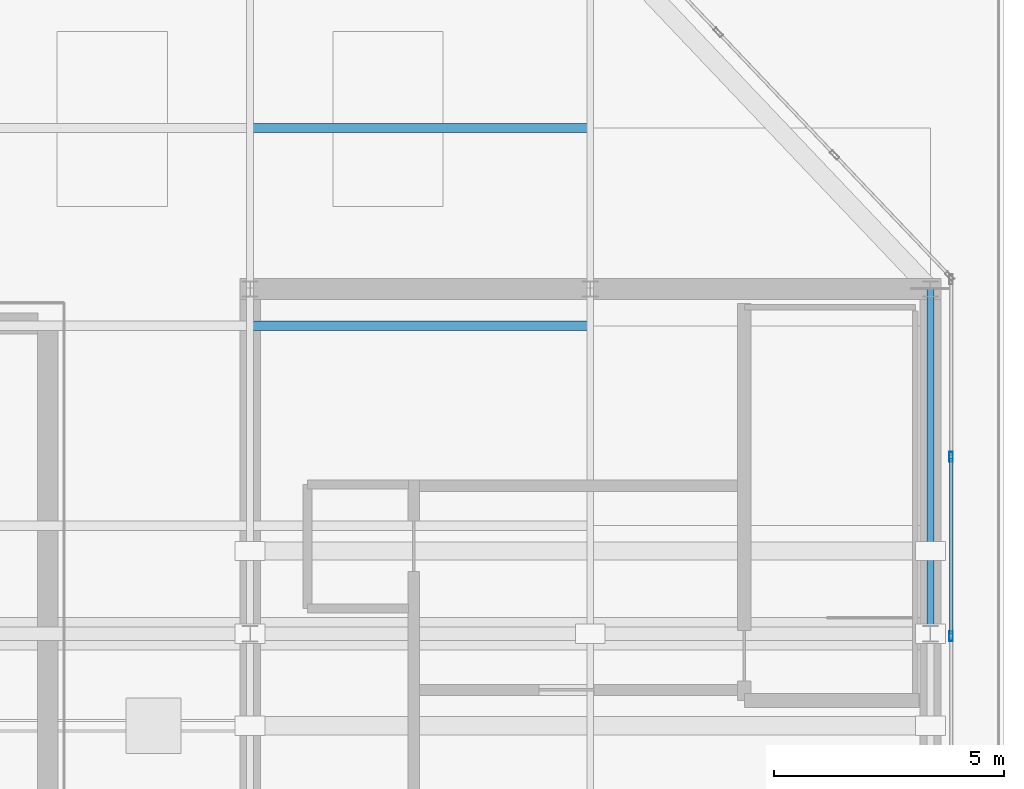
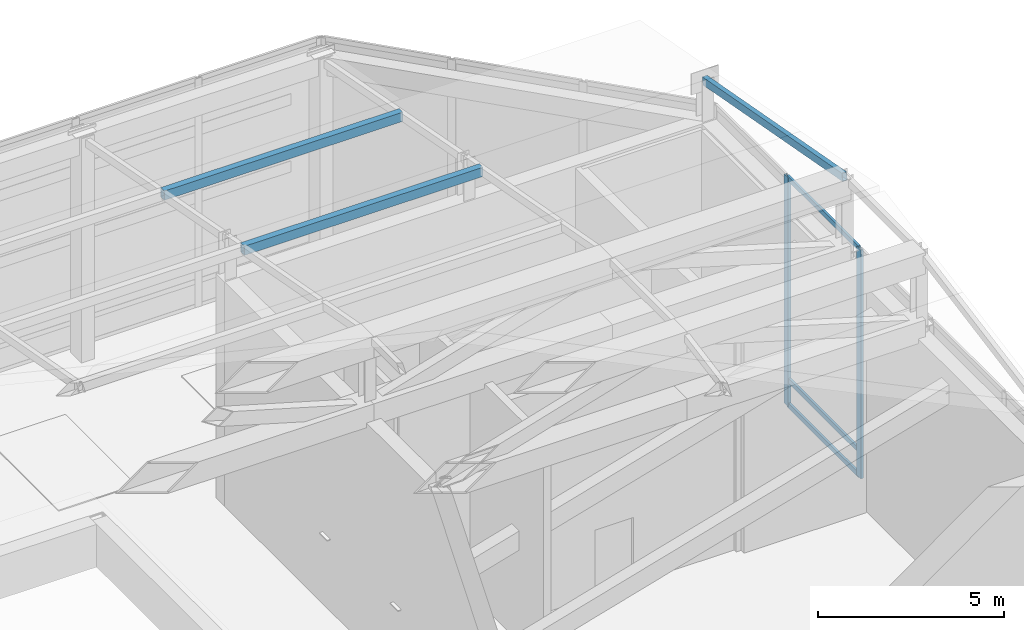
# One storey, part 15 of 25: 8 members, 1 element without a shape of its own.
"""IFC4 building model written with IfcOpenShell, lengths in metres."""

from ifc_helpers import new_model, si_unit, direction, frame, origin, origin_2d, place, context, subcontext, project, spatial, hollow_rectangle, extrude, source, transform, mapped, material, layer, layer_set, material_profile, profile_set, type_object, type_shapes, element, aggregate, save


model = new_model("IFC4")

# Units and contexts
model_context = context("Model", 3, precision=1e-05, world=origin(), true_north=direction((0.0, 1.0)))
body_context = subcontext(model_context, "Body", "Model", "MODEL_VIEW")
ifc_project = project(units=[si_unit("LENGTHUNIT", "METRE"), si_unit("AREAUNIT", "SQUARE_METRE"), si_unit("VOLUMEUNIT", "CUBIC_METRE"), si_unit("PLANEANGLEUNIT", "RADIAN"), si_unit("MASSUNIT", "GRAM", prefix="KILO")], contexts=[model_context])

# Site, building, storey
site_placement = place(None, origin())
site = spatial("IfcSite", under=ifc_project, at=site_placement, CompositionType="ELEMENT")
building_placement = place(site_placement, origin())
building = spatial("IfcBuilding", under=site, at=building_placement, Name="Haelvirn Gate Laboratories", CompositionType="ELEMENT")
storey_placement = place(building_placement, frame((0.0, 0.0, 337.800048828125)))
storey = spatial("IfcBuildingStorey", under=building, at=storey_placement, Name="RF", CompositionType="ELEMENT", Elevation=337.800048828125)

# Members
ifc_material_1 = material(Name="Steel SM355", Category="steel")
ifc_material_profile_1 = material_profile(ifc_material_1, hollow_rectangle(XDim=0.14990234375, YDim=0.25, WallThickness=0.010009765625, at=origin_2d()), Name="RHS-250x150x10")
ifc_profile_set_1 = profile_set([ifc_material_profile_1], Name="Steel SM355")
member_type_1 = type_object("IfcMemberType", Name="MEM-CROWN-RAF", PredefinedType="RAFTER", material=ifc_profile_set_1)
shared_shape_1 = source(origin(), body_context, "Body", "SweptSolid", [
    extrude(hollow_rectangle(XDim=0.14990234375, YDim=0.25, WallThickness=0.010009765625, at=origin_2d()), origin(), (0.0, 0.0, 1.0), 7.626708984375),
])
type_shapes(member_type_1, [shared_shape_1])
member_1_placement = place(storey_placement, frame((67.39990234375, 26.300048828125, 9.955322265625), z_axis=(0.0, 0.983390092547, -0.181504616691), x_axis=(-1.0, 0.0, 0.0)))
element("IfcMember", 1, at=member_1_placement, inside=storey, type_object=member_type_1, Name="RF Vault End Rafter X67.4-3", PredefinedType="RAFTER", context=body_context, shape_type="MappedRepresentation", body=[
    mapped(shared_shape_1, transform((0.0, 0.0, 0.0), scale=1.0)),
])
ifc_material_profile_2 = material_profile(ifc_material_1, hollow_rectangle(XDim=0.199951171875, YDim=0.300048828125, WallThickness=0.011962890625, at=origin_2d()), Name="RHS-300x200x12")
ifc_profile_set_2 = profile_set([ifc_material_profile_2], Name="Steel SM355")
member_type_2 = type_object("IfcMemberType", Name="MEM-ROOF-PURL", PredefinedType="PURLIN", material=ifc_profile_set_2)
shared_shape_2 = source(origin(), body_context, "Body", "SweptSolid", [
    extrude(hollow_rectangle(XDim=0.199951171875, YDim=0.300048828125, WallThickness=0.011962890625, at=origin_2d()), origin(), (0.0, 0.0, 1.0), 7.39990234375),
])
type_shapes(member_type_2, [shared_shape_2])
for number, where, z_axis, x_axis, name in (
    (2, (52.60009765625, 33.0, 8.699951171875), (1.0, 0.0, 0.0), (0.0, 1.0, 0.0), "RF Vault Purlin 5 (52.6-60.0)"),
    (3, (52.60009765625, 37.300048828125, 7.89990234375), (1.0, 0.0, 0.0), (0.0, 1.0, 0.0), "RF Vault Purlin 6 (52.6-60.0)"),
):
    element("IfcMember", number, at=place(storey_placement, frame(where, z_axis=z_axis, x_axis=x_axis)), inside=storey, type_object=member_type_2, Name=name, PredefinedType="PURLIN", context=body_context, shape_type="MappedRepresentation", body=[
        mapped(shared_shape_2, transform((0.0, 0.0, 0.0), scale=1.0)),
    ])

# Curtain wall, members
ifc_material_2 = material(Name="Anodised bronze unitised aluminium & triple low-E glass", Category="aluminium")
ifc_layer = layer(ifc_material_2, 0.19189453125, Name="CW-SYS-6")
ifc_layer_set = layer_set([ifc_layer], Name="Anodised bronze unitised aluminium & triple low-E glass")
curtain_wall_type = type_object("IfcCurtainWallType", Name="CW-SYS-6", PredefinedType="NOTDEFINED", material=ifc_layer_set)
curtain_wall_placement = place(storey_placement, origin())
curtain_wall = element("IfcCurtainWall", 4, at=curtain_wall_placement, inside=storey, type_object=curtain_wall_type, Name="RF Unitised Curtain Wall CW-RF-RING-02", PredefinedType="NOTDEFINED")
ifc_material_3 = material(Name="Extruded aluminium 6063-T6 (anodised bronze)", Category="aluminium")
ifc_material_profile_3 = material_profile(ifc_material_3, hollow_rectangle(XDim=0.080078125, YDim=0.219970703125, WallThickness=0.006103515625, at=origin_2d()), Name="CWM-220x80x6")
ifc_profile_set_3 = profile_set([ifc_material_profile_3], Name="Extruded aluminium 6063-T6 (anodised bronze)")
member_type_3 = type_object("IfcMemberType", Name="CWM-T220", PredefinedType="MULLION", material=ifc_profile_set_3)
shared_shape_3 = source(origin(), body_context, "Body", "SweptSolid", [
    extrude(hollow_rectangle(XDim=0.080078125, YDim=0.219970703125, WallThickness=0.006103515625, at=origin_2d()), origin(), (0.0, 0.0, 1.0), 7.5),
])
type_shapes(member_type_3, [shared_shape_3])
member_2_placement = place(storey_placement, frame((67.85009765625, 26.25, 0.0), z_axis=(0.0, 0.0, 1.0), x_axis=(-1.0, 0.0, 0.0)))
member_2 = element("IfcMember", 5, at=member_2_placement, type_object=member_type_3, Name="CW6 mullion 4", PredefinedType="MULLION", context=body_context, shape_type="MappedRepresentation", body=[
    mapped(shared_shape_3, transform((0.0, 0.0, 0.0), scale=1.0)),
])
member_3_placement = place(storey_placement, frame((67.85009765625, 30.14990234375, 0.0), z_axis=(0.0, 0.0, 1.0), x_axis=(-1.0, 0.0, 0.0)))
member_3 = element("IfcMember", 6, at=member_3_placement, type_object=member_type_3, Name="CW6 mullion 5", PredefinedType="MULLION", context=body_context, shape_type="MappedRepresentation", body=[
    mapped(shared_shape_3, transform((0.0, 0.0, 0.0), scale=1.0)),
])
ifc_material_profile_4 = material_profile(ifc_material_3, hollow_rectangle(XDim=0.070068359375, YDim=0.159912109375, WallThickness=0.0048828125, at=origin_2d()), Name="CWT-160x70x5")
ifc_profile_set_4 = profile_set([ifc_material_profile_4], Name="Extruded aluminium 6063-T6 (anodised bronze)")
member_type_4 = type_object("IfcMemberType", Name="CWT-T160", PredefinedType="USERDEFINED", material=ifc_profile_set_4)
shared_shape_4 = source(origin(), body_context, "Body", "SweptSolid", [
    extrude(hollow_rectangle(XDim=0.070068359375, YDim=0.159912109375, WallThickness=0.0048828125, at=origin_2d()), origin(), (0.0, 0.0, 1.0), 3.820068359375),
])
type_shapes(member_type_4, [shared_shape_4])
member_4_placement = place(storey_placement, frame((67.85009765625, 26.2900390625, 0.034912109375), z_axis=(0.0, 1.0, 0.0), x_axis=(-1.0, 0.0, 0.0)))
member_4 = element("IfcMember", 7, at=member_4_placement, type_object=member_type_4, Name="CW6 transom 4.1", ObjectType="TRANSOM", PredefinedType="USERDEFINED", context=body_context, shape_type="MappedRepresentation", body=[
    mapped(shared_shape_4, transform((0.0, 0.0, 0.0), scale=1.0)),
])
member_5_placement = place(storey_placement, frame((67.85009765625, 26.2900390625, 0.849853515625), z_axis=(0.0, 1.0, 0.0), x_axis=(-1.0, 0.0, 0.0)))
member_5 = element("IfcMember", 8, at=member_5_placement, type_object=member_type_4, Name="CW6 transom 4.2", ObjectType="TRANSOM", PredefinedType="USERDEFINED", context=body_context, shape_type="MappedRepresentation", body=[
    mapped(shared_shape_4, transform((0.0, 0.0, 0.0), scale=1.0)),
])
member_6_placement = place(storey_placement, frame((67.85009765625, 26.2900390625, 7.46484375), z_axis=(0.0, 1.0, 0.0), x_axis=(-1.0, 0.0, 0.0)))
member_6 = element("IfcMember", 9, at=member_6_placement, type_object=member_type_4, Name="CW6 transom 4.3", ObjectType="TRANSOM", PredefinedType="USERDEFINED", context=body_context, shape_type="MappedRepresentation", body=[
    mapped(shared_shape_4, transform((0.0, 0.0, 0.0), scale=1.0)),
])
aggregate(curtain_wall, [member_2, member_3, member_4, member_5, member_6])

save(model, "model.ifc")
